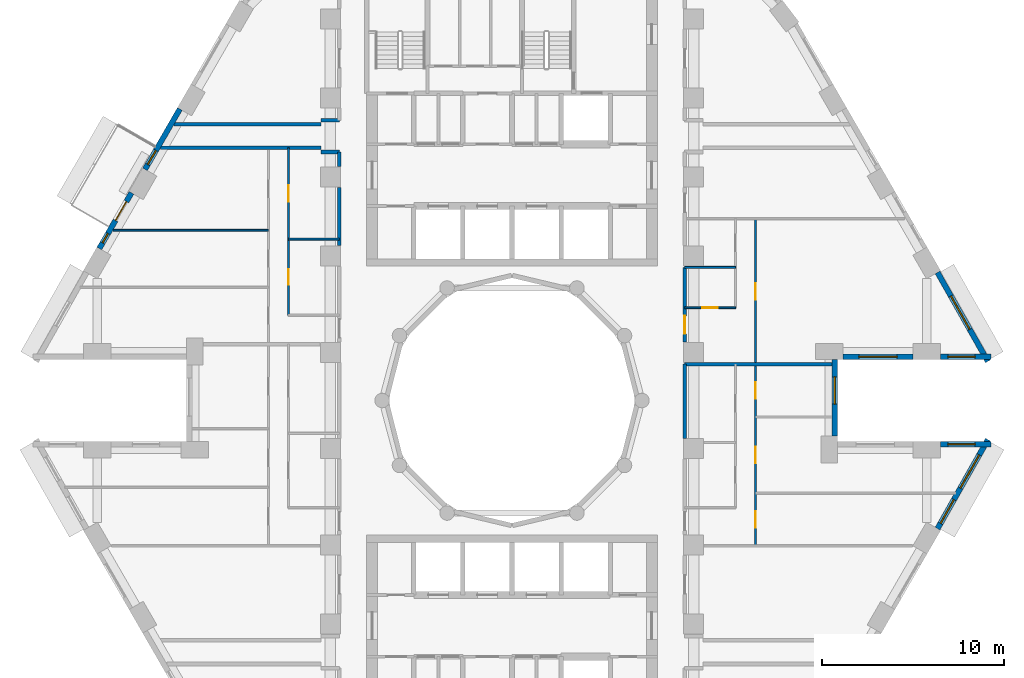
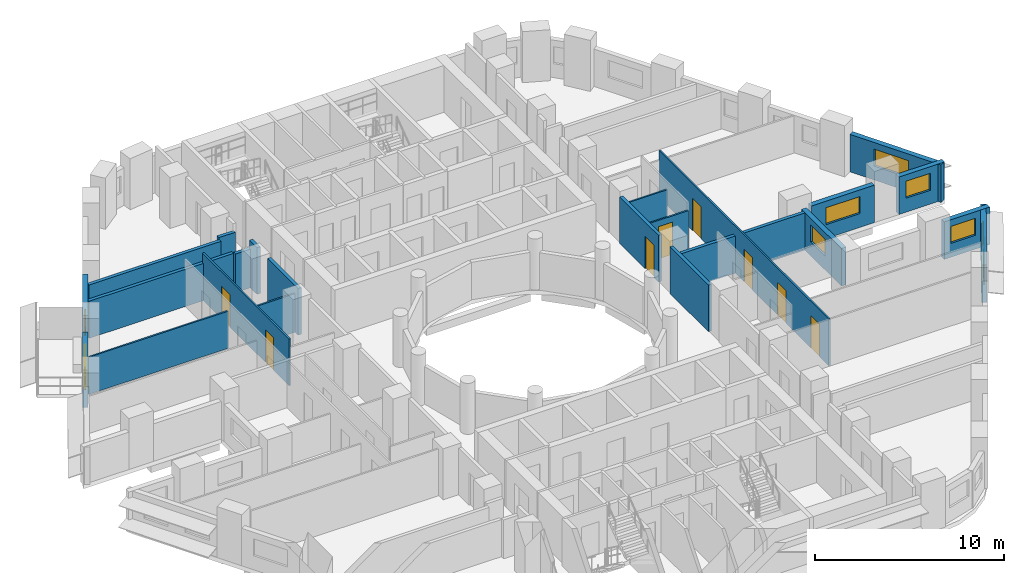
# One storey, part 6 of 13: 23 walls, 9 doors, 9 windows, 18 openings.
"""IFC4 building model written with IfcOpenShell, lengths in metres."""

import ifcopenshell
import ifcopenshell.guid

model = None  # the IFC model being written
_history = None  # IfcOwnerHistory: only IFC2X3 demands one
_inside = {}  # id of a spatial element -> (the spatial element, [elements in it])
_under = {}  # id of a project, library or spatial element -> (it, [spatial elements below it])
_declared = {}  # id of a project -> (the project, [libraries it declares])
_typed = {}  # id of a type object -> (the type object, [elements of that type])
_made_of = {}  # id of a material, layer set ... -> (it, [elements and type objects made of it])


def new_model(schema):
    """Start an empty IFC model of exactly this schema.

    Asked for "IFC4X3", IfcOpenShell would pick the latest addendum, in which some entities
    have other attributes; the version numbers below select the first issue.
    IFC2X3 requires an IfcOwnerHistory on every rooted entity: one is made here for all.
    """
    global model, _history
    if schema == "IFC4X3":
        model = ifcopenshell.file(schema_version=(4, 3, 0, 0))
    else:
        model = ifcopenshell.file(schema=schema)
    _inside.clear()
    _under.clear()
    _declared.clear()
    _typed.clear()
    _made_of.clear()
    _history = None
    if model.schema == "IFC2X3":
        org = make("IfcOrganization", Name="unknown")
        user = make(
            "IfcPersonAndOrganization",
            ThePerson=make("IfcPerson", FamilyName="unknown"),
            TheOrganization=org,
        )
        app = make(
            "IfcApplication",
            ApplicationDeveloper=org,
            Version="unknown",
            ApplicationFullName="unknown",
            ApplicationIdentifier="unknown",
        )
        _history = make(
            "IfcOwnerHistory",
            OwningUser=user,
            OwningApplication=app,
            ChangeAction="ADDED",
            CreationDate=0,
        )
    return model


def make(cls, **values):
    """One entity of the class cls with the attributes given. An attribute that is None is left unset."""
    return model.create_entity(
        cls, **{name: value for name, value in values.items() if value is not None}
    )


def rooted(cls, **values):
    """An entity with a GlobalId (a new one), such as an element, a storey or a relation."""
    return make(cls, GlobalId=ifcopenshell.guid.new(), OwnerHistory=_history, **values)


def si_unit(unit_type, name, prefix=None):
    """IfcSIUnit, for example si_unit("LENGTHUNIT", "METRE", prefix="MILLI")."""
    return make("IfcSIUnit", UnitType=unit_type, Prefix=prefix, Name=name)


def assignment(units):
    """IfcUnitAssignment: the units of a project."""
    return None if units is None else make("IfcUnitAssignment", Units=units)


def point(xyz):
    """IfcCartesianPoint."""
    return None if xyz is None else make("IfcCartesianPoint", Coordinates=xyz)


def direction(xyz):
    """IfcDirection."""
    return None if xyz is None else make("IfcDirection", DirectionRatios=xyz)


def frame(location, z_axis=None, x_axis=None):
    """IfcAxis2Placement3D, a coordinate frame: its origin and axes. An axis left out is left unset."""
    return make(
        "IfcAxis2Placement3D",
        Location=point(location),
        Axis=direction(z_axis),
        RefDirection=direction(x_axis),
    )


def frame_2d(location, x_axis=None):
    """IfcAxis2Placement2D, a coordinate frame in the plane: its origin and x axis."""
    return make(
        "IfcAxis2Placement2D", Location=point(location), RefDirection=direction(x_axis)
    )


def origin():
    """The frame at (0, 0, 0) with its axes left unset."""
    return frame((0.0, 0.0, 0.0))


def place(relative_to, where):
    """IfcLocalPlacement: puts the frame where relative to a parent placement (None: the world)."""
    return make(
        "IfcLocalPlacement", PlacementRelTo=relative_to, RelativePlacement=where
    )


def context(
    kind, dimensions, precision=None, world=None, true_north=None, identifier=None
):
    """IfcGeometricRepresentationContext, for example the 3D "Model" context."""
    return make(
        "IfcGeometricRepresentationContext",
        ContextIdentifier=identifier,
        ContextType=kind,
        CoordinateSpaceDimension=dimensions,
        Precision=precision,
        WorldCoordinateSystem=world,
        TrueNorth=true_north,
    )


def subcontext(parent, identifier, kind, view, scale=None):
    """IfcGeometricRepresentationSubContext, for example "Body" below "Model"."""
    return make(
        "IfcGeometricRepresentationSubContext",
        ContextIdentifier=identifier,
        ContextType=kind,
        ParentContext=parent,
        TargetScale=scale,
        TargetView=view,
    )


def project(units=None, contexts=None):
    """IfcProject with its units and contexts."""
    return rooted(
        "IfcProject",
        Name="project",
        RepresentationContexts=contexts,
        UnitsInContext=assignment(units),
    )


def spatial(cls, under=None, at=None, **own):
    """A site, building, storey or space (cls), placed at a placement, below another one or the project."""
    s = rooted(cls, ObjectPlacement=at, **own)
    if under is not None:
        _under.setdefault(under.id(), (under, []))[1].append(s)
    return s


def profile(cls, at=None, kind="AREA", **sizes):
    """A parametric profile (cls). Its sizes go by their IFC names, for example OverallWidth=200.0."""
    return make(cls, ProfileType=kind, Position=at, **sizes)


def rectangle(**sizes):
    """IfcRectangleProfileDef."""
    return profile("IfcRectangleProfileDef", **sizes)


def extrude(swept, where, along, depth):
    """IfcExtrudedAreaSolid: the profile swept, set in the frame where, extruded along a direction by depth."""
    return make(
        "IfcExtrudedAreaSolid",
        SweptArea=swept,
        Position=where,
        ExtrudedDirection=direction(along),
        Depth=depth,
    )


def shape(context_of_items, identifier, shape_type, items):
    """IfcShapeRepresentation: the items that make up one representation, for example the "Body"."""
    return make(
        "IfcShapeRepresentation",
        ContextOfItems=context_of_items,
        RepresentationIdentifier=identifier,
        RepresentationType=shape_type,
        Items=items,
    )


def material(Name=None, Category=None):
    """IfcMaterial."""
    return make("IfcMaterial", Name=Name, Category=Category)


def layer(
    of_material, thickness, ventilated=None, Name=None, Category=None, Priority=None
):
    """IfcMaterialLayer: one layer of a wall or slab, of a material (None: an air gap)."""
    return make(
        "IfcMaterialLayer",
        Material=of_material,
        LayerThickness=thickness,
        IsVentilated=ventilated,
        Name=Name,
        Category=Category,
        Priority=Priority,
    )


def layer_set(layers, Name=None):
    """IfcMaterialLayerSet."""
    return make("IfcMaterialLayerSet", MaterialLayers=layers, LayerSetName=Name)


def made_of(thing, what):
    """Note that an element or type object is made of a material, layer set ...; save() writes the relation."""
    if what is not None:
        _made_of.setdefault(what.id(), (what, []))[1].append(thing)
    return thing


def type_object(cls, material=None, **own):
    """A type object (cls), such as IfcWallType, which elements share."""
    return made_of(rooted(cls, **own), material)


def element(
    cls,
    number,
    at=None,
    inside=None,
    cuts=None,
    type_object=None,
    material=None,
    context=None,
    identifier="Body",
    shape_type=None,
    held_by="IfcProductDefinitionShape",
    body=None,
    shapes=None,
    **own,
):
    """One element of the class cls, such as IfcWall. Its Tag is "e" and its number.

    at: its placement. inside: the storey or other place that contains it. cuts: it is an
    opening in that element (IfcRelVoidsElement). A single representation is given by context,
    identifier, shape_type and body (its items); several are given by shapes. held_by: the class
    of the entity that holds the representations. save() writes the other relations.
    """
    e = rooted(cls, Tag="e%d" % number, ObjectPlacement=at, **own)
    if body is not None:
        shapes = [shape(context, identifier, shape_type, body)]
    if shapes is not None:
        e.Representation = make(held_by, Representations=shapes)
    if inside is not None:
        _inside.setdefault(inside.id(), (inside, []))[1].append(e)
    if cuts is not None:
        rooted(
            "IfcRelVoidsElement", RelatingBuildingElement=cuts, RelatedOpeningElement=e
        )
    if type_object is not None:
        _typed.setdefault(type_object.id(), (type_object, []))[1].append(e)
    return made_of(e, material)


def fill(opening, filler):
    """IfcRelFillsElement: the door or window that sits in an opening."""
    return rooted(
        "IfcRelFillsElement",
        RelatingOpeningElement=opening,
        RelatedBuildingElement=filler,
    )


def aggregate(whole, parts):
    """IfcRelAggregates: a whole, such as a stair, and the parts it consists of."""
    return rooted("IfcRelAggregates", RelatingObject=whole, RelatedObjects=parts)


def save(model, path):
    """Write the relations noted so far, then the file.

    IfcRelAggregates (storeys below a building ...), IfcRelContainedInSpatialStructure (elements
    in a storey), IfcRelDefinesByType, IfcRelAssociatesMaterial and IfcRelDeclares: one each for
    every whole, place, type object, material and project.
    """
    for whole, parts in _under.values():
        aggregate(whole, parts)
    for where, things in _inside.values():
        rooted(
            "IfcRelContainedInSpatialStructure",
            RelatedElements=things,
            RelatingStructure=where,
        )
    for kind, things in _typed.values():
        rooted("IfcRelDefinesByType", RelatedObjects=things, RelatingType=kind)
    for what, things in _made_of.values():
        rooted("IfcRelAssociatesMaterial", RelatedObjects=things, RelatingMaterial=what)
    for by, libraries in _declared.values():
        rooted("IfcRelDeclares", RelatingContext=by, RelatedDefinitions=libraries)
    model.write(path)


model = new_model("IFC4")

# Units and contexts
model_context = context("Model", 3, precision=1e-05, world=origin(), true_north=direction((0.0, 1.0)))
body_context = subcontext(model_context, "Body", "Model", "MODEL_VIEW")
ifc_project = project(units=[si_unit("LENGTHUNIT", "METRE"), si_unit("AREAUNIT", "SQUARE_METRE"), si_unit("VOLUMEUNIT", "CUBIC_METRE"), si_unit("PLANEANGLEUNIT", "RADIAN"), si_unit("MASSUNIT", "GRAM", prefix="KILO")], contexts=[model_context])

# Site, building, storey
site_placement = place(None, origin())
site = spatial("IfcSite", under=ifc_project, at=site_placement, CompositionType="ELEMENT")
building_placement = place(site_placement, origin())
building = spatial("IfcBuilding", under=site, at=building_placement, Name="Nakaniwa Court", CompositionType="ELEMENT")
storey_placement = place(building_placement, frame((0.0, 0.0, 48.0)))
storey = spatial("IfcBuildingStorey", under=building, at=storey_placement, Name="L12", CompositionType="ELEMENT", Elevation=48.0)

# Wall
ifc_material_1 = material(Name="Acoustic double stud partition")
ifc_layer_1 = layer(ifc_material_1, 0.199951171875)
ifc_layer_set_1 = layer_set([ifc_layer_1], Name="Acoustic double stud partition")
wall_type_1 = type_object("IfcWallType", Name="Acoustic double stud partition 200", PredefinedType="PARTITIONING", material=ifc_layer_set_1)
wall_1_placement = place(storey_placement, frame((89.5, 77.9169921875, 0.0), z_axis=(0.0, 0.0, 1.0), x_axis=(0.0, 1.0, 0.0)))
element("IfcWall", 1, at=wall_1_placement, inside=storey, type_object=wall_type_1, Name="Partition PW-078", PredefinedType="PARTITIONING", context=body_context, shape_type="SweptSolid", body=[
    extrude(rectangle(XDim=4.0859375, YDim=0.199951171875, at=frame_2d((2.04296875, 0.0))), origin(), (0.0, 0.0, 1.0), 3.02490234375),
])

# Wall, opening, door
wall_2_placement = place(storey_placement, frame((89.5, 87.330322265625, 0.0), z_axis=(0.0, 0.0, 1.0), x_axis=(0.0, -1.0, 0.0)))
wall_2 = element("IfcWall", 2, at=wall_2_placement, inside=storey, type_object=wall_type_1, Name="Partition PW-079", PredefinedType="PARTITIONING", context=body_context, shape_type="SweptSolid", body=[
    extrude(rectangle(XDim=4.11328125, YDim=0.199951171875, at=frame_2d((2.056640625, 0.0))), origin(), (0.0, 0.0, 1.0), 3.02490234375),
])
opening_1_placement = place(wall_2_placement, frame((2.669921875, 0.0, 0.0)))
opening_1 = element("IfcOpeningElement", 3, at=opening_1_placement, cuts=wall_2, Name="Opening D-01-02", PredefinedType="OPENING", context=body_context, shape_type="SweptSolid", body=[
    extrude(rectangle(XDim=1.0, YDim=2.10009765625, at=frame_2d((0.5, 1.050048828125))), frame((0.0, 0.10986328125, 0.0), z_axis=(0.0, -1.0, 0.0), x_axis=(1.0, 0.0, 0.0)), (0.0, 0.0, 1.0), 0.219970703125),
])
ifc_material_2 = material(Name="Solid core timber door set, black veneer", Category="wood")
door_type_1 = type_object("IfcDoorType", Name="Flat entrance door 1000", OperationType="NOTDEFINED", PredefinedType="DOOR", material=ifc_material_2)
door_1_placement = place(opening_1_placement, origin())
door_1 = element("IfcDoor", 4, at=door_1_placement, inside=storey, type_object=door_type_1, Name="Door D-01-02 L12-038", OperationType="SINGLE_SWING_LEFT", OverallHeight=2.10009765625, OverallWidth=1.0, PredefinedType="DOOR", context=body_context, shape_type="SweptSolid", body=[
    extrude(rectangle(XDim=1.0, YDim=2.10009765625, at=frame_2d((0.5, 1.050048828125))), frame((0.0, 0.02490234375, 0.0), z_axis=(0.0, -1.0, 0.0), x_axis=(1.0, 0.0, 0.0)), (0.0, 0.0, 1.0), 0.050048828125),
])
fill(opening_1, door_1)

# Walls
wall_3_placement = place(storey_placement, frame((69.5, 95.425048828125, 0.0), z_axis=(0.0, 0.0, 1.0), x_axis=(1.0, 0.0, 0.0)))
element("IfcWall", 5, at=wall_3_placement, inside=storey, type_object=wall_type_1, Name="Partition PW-085", PredefinedType="PARTITIONING", context=body_context, shape_type="SweptSolid", body=[
    extrude(rectangle(XDim=1.0, YDim=0.199951171875, at=frame_2d((0.5, 0.0))), origin(), (0.0, 0.0, 1.0), 2.5048828125),
])
wall_4_placement = place(storey_placement, frame((61.4091796875, 95.199951171875, 0.0), z_axis=(0.0, 0.0, 1.0), x_axis=(1.0, 0.0, 0.0)))
element("IfcWall", 6, at=wall_4_placement, inside=storey, type_object=wall_type_1, Name="Partition PW-087", PredefinedType="PARTITIONING", context=body_context, shape_type="SweptSolid", body=[
    extrude(rectangle(XDim=8.0908203125, YDim=0.199951171875, at=frame_2d((4.04541015625, 0.0))), origin(), (0.0, 0.0, 1.0), 2.405029296875),
])
wall_5_placement = place(storey_placement, frame((60.65869140625, 93.89990234375, 0.0), z_axis=(0.0, 0.0, 1.0), x_axis=(1.0, 0.0, 0.0)))
element("IfcWall", 7, at=wall_5_placement, inside=storey, type_object=wall_type_1, Name="Partition PW-089", PredefinedType="PARTITIONING", context=body_context, shape_type="SweptSolid", body=[
    extrude(rectangle(XDim=8.84130859375, YDim=0.199951171875, at=frame_2d((4.420654296875, 0.0))), origin(), (0.0, 0.0, 1.0), 2.405029296875),
])
wall_6_placement = place(storey_placement, frame((69.5, 93.675048828125, 0.0), z_axis=(0.0, 0.0, 1.0), x_axis=(1.0, 0.0, 0.0)))
element("IfcWall", 8, at=wall_6_placement, inside=storey, type_object=wall_type_1, Name="Partition PW-091", PredefinedType="PARTITIONING", context=body_context, shape_type="SweptSolid", body=[
    extrude(rectangle(XDim=1.0, YDim=0.199951171875, at=frame_2d((0.5, 0.0))), origin(), (0.0, 0.0, 1.0), 2.5048828125),
])
wall_7_placement = place(storey_placement, frame((70.5, 88.51708984375, 0.0), z_axis=(0.0, 0.0, 1.0), x_axis=(0.0, 1.0, 0.0)))
element("IfcWall", 9, at=wall_7_placement, inside=storey, type_object=wall_type_1, Name="Partition PW-108", PredefinedType="PARTITIONING", context=body_context, shape_type="SweptSolid", body=[
    extrude(rectangle(XDim=3.2158203125, YDim=0.199951171875, at=frame_2d((1.60791015625, 0.0))), origin(), (0.0, 0.0, 1.0), 3.02490234375),
])
wall_8_placement = place(storey_placement, frame((70.5, 92.866943359375, 0.0), z_axis=(0.0, 0.0, 1.0), x_axis=(0.0, 1.0, 0.0)))
element("IfcWall", 10, at=wall_8_placement, inside=storey, type_object=wall_type_1, Name="Partition PW-109", PredefinedType="PARTITIONING", context=body_context, shape_type="SweptSolid", body=[
    extrude(rectangle(XDim=0.81103515625, YDim=0.199951171875, at=frame_2d((0.405517578125, 0.0))), origin(), (0.0, 0.0, 1.0), 3.02490234375),
])
wall_9_placement = place(storey_placement, frame((89.5, 82.0, 0.0), z_axis=(0.0, 0.0, 1.0), x_axis=(1.0, 0.0, 0.0)))
element("IfcWall", 11, at=wall_9_placement, inside=storey, type_object=wall_type_1, Name="Partition PW-118", PredefinedType="PARTITIONING", context=body_context, shape_type="SweptSolid", body=[
    extrude(rectangle(XDim=8.1083984375, YDim=0.199951171875, at=frame_2d((4.05419921875, 0.0))), origin(), (0.0, 0.0, 1.0), 2.405029296875),
])

# Wall, opening, window
ifc_material_3 = material(Name="Charcoal ceramic cladding")
ifc_layer_2 = layer(ifc_material_3, 0.02, Name="Ceramic cladding")
ifc_material_4 = material(Name="Ventilated air cavity")
ifc_layer_3 = layer(ifc_material_4, 0.04, ventilated=True, Name="Ventilated cavity")
ifc_material_5 = material(Name="Mineral wool insulation")
ifc_layer_4 = layer(ifc_material_5, 0.1, Name="Insulation")
ifc_material_6 = material(Name="Cement bonded sheathing board")
ifc_layer_5 = layer(ifc_material_6, 0.012, Name="Sheathing")
ifc_material_7 = material(Name="Cold-formed galvanised stud frame with mineral wool infill")
ifc_layer_6 = layer(ifc_material_7, 0.1, Name="Stud frame")
ifc_material_8 = material(Name="Fire-rated gypsum plasterboard lining")
ifc_layer_7 = layer(ifc_material_8, 0.028, Name="Lining")
ifc_layer_set_2 = layer_set([ifc_layer_2, ifc_layer_3, ifc_layer_4, ifc_layer_5, ifc_layer_6, ifc_layer_7], Name="Charcoal ceramic faced external wall system")
wall_type_2 = type_object("IfcWallType", Name="Black ceramic faced external wall 300", PredefinedType="SOLIDWALL", material=ifc_layer_set_2)
wall_10_placement = place(storey_placement, frame((98.204345703125, 82.39990234375, 0.0), z_axis=(0.0, 0.0, 1.0), x_axis=(1.0, 0.0, 0.0)))
wall_10 = element("IfcWall", 12, at=wall_10_placement, inside=storey, type_object=wall_type_2, Name="L12 external wall 00", PredefinedType="SOLIDWALL", context=body_context, shape_type="SweptSolid", body=[
    extrude(rectangle(XDim=3.87255859375, YDim=0.300048828125, at=frame_2d((1.936279296875, 0.0))), origin(), (0.0, 0.0, 1.0), 2.425048828125),
])
opening_2_placement = place(wall_10_placement, frame((0.88623046875, 0.0, 0.89990234375)))
opening_2 = element("IfcOpeningElement", 13, at=opening_2_placement, cuts=wall_10, Name="Opening W7.01", PredefinedType="OPENING", context=body_context, shape_type="SweptSolid", body=[
    extrude(rectangle(XDim=2.10009765625, YDim=1.10009765625, at=frame_2d((1.050048828125, 0.550048828125))), frame((0.0, 0.159912109375, 0.0), z_axis=(0.0, -1.0, 0.0), x_axis=(1.0, 0.0, 0.0)), (0.0, 0.0, 1.0), 0.320068359375),
])
ifc_material_9 = material(Name="Black anodised aluminium frame with dark low-E laminated double glazing", Category="aluminium")
window_type_1 = type_object("IfcWindowType", Name="Dark glass window 2100x1100 sill 900", PartitioningType="SINGLE_PANEL", PredefinedType="WINDOW", material=ifc_material_9)
window_1_placement = place(opening_2_placement, origin())
window_1 = element("IfcWindow", 14, at=window_1_placement, inside=storey, type_object=window_type_1, Name="L12 living window 00-0", OverallHeight=1.10009765625, OverallWidth=2.10009765625, PartitioningType="SINGLE_PANEL", PredefinedType="WINDOW", context=body_context, shape_type="SweptSolid", body=[
    extrude(rectangle(XDim=2.10009765625, YDim=1.10009765625, at=frame_2d((1.050048828125, 0.550048828125))), frame((0.0, 0.030029296875, 0.0), z_axis=(0.0, -1.0, 0.0), x_axis=(1.0, 0.0, 0.0)), (0.0, 0.0, 1.0), 0.06005859375),
])
fill(opening_2, window_1)

wall_11_placement = place(storey_placement, frame((103.56884765625, 82.39990234375, 0.0), z_axis=(0.0, 0.0, 1.0), x_axis=(1.0, 0.0, 0.0)))
wall_11 = element("IfcWall", 15, at=wall_11_placement, inside=storey, type_object=wall_type_2, Name="L12 external wall 01", PredefinedType="SOLIDWALL", context=body_context, shape_type="SweptSolid", body=[
    extrude(rectangle(XDim=2.787841796875, YDim=0.300048828125, at=frame_2d((1.39404296875, 0.0))), origin(), (0.0, 0.0, 1.0), 2.425048828125),
])
opening_3_placement = place(wall_11_placement, frame((0.4189453125, 0.0, 0.89990234375)))
opening_3 = element("IfcOpeningElement", 16, at=opening_3_placement, cuts=wall_11, Name="Opening W5.02", PredefinedType="OPENING", context=body_context, shape_type="SweptSolid", body=[
    extrude(rectangle(XDim=1.5, YDim=1.10009765625, at=frame_2d((0.75, 0.550048828125))), frame((0.0, 0.159912109375, 0.0), z_axis=(0.0, -1.0, 0.0), x_axis=(1.0, 0.0, 0.0)), (0.0, 0.0, 1.0), 0.320068359375),
])
window_type_2 = type_object("IfcWindowType", Name="Dark glass window 1500x1100 sill 900", PartitioningType="SINGLE_PANEL", PredefinedType="WINDOW", material=ifc_material_9)
window_2_placement = place(opening_3_placement, origin())
window_2 = element("IfcWindow", 17, at=window_2_placement, inside=storey, type_object=window_type_2, Name="L12 living window 01-0", OverallHeight=1.10009765625, OverallWidth=1.5, PartitioningType="SINGLE_PANEL", PredefinedType="WINDOW", context=body_context, shape_type="SweptSolid", body=[
    extrude(rectangle(XDim=1.5, YDim=1.10009765625, at=frame_2d((0.75, 0.550048828125))), frame((0.0, 0.030029296875, 0.0), z_axis=(0.0, -1.0, 0.0), x_axis=(1.0, 0.0, 0.0)), (0.0, 0.0, 1.0), 0.06005859375),
])
fill(opening_3, window_2)

wall_12_placement = place(storey_placement, frame((106.18603515625, 82.1533203125, 0.0), z_axis=(0.0, 0.0, 1.0), x_axis=(-0.492363204642, 0.870389840655, 0.0)))
wall_12 = element("IfcWall", 18, at=wall_12_placement, inside=storey, type_object=wall_type_2, Name="L12 external wall 02", PredefinedType="SOLIDWALL", context=body_context, shape_type="SweptSolid", body=[
    extrude(rectangle(XDim=5.62646484375, YDim=0.300048828125, at=frame_2d((2.813232421875, 0.0))), origin(), (0.0, 0.0, 1.0), 2.425048828125),
])
opening_4_placement = place(wall_12_placement, frame((2.0263671875, 0.0, 0.89990234375)))
opening_4 = element("IfcOpeningElement", 19, at=opening_4_placement, cuts=wall_12, Name="Opening W7.03", PredefinedType="OPENING", context=body_context, shape_type="SweptSolid", body=[
    extrude(rectangle(XDim=2.10009765625, YDim=1.10009765625, at=frame_2d((1.050048828125, 0.550048828125))), frame((0.0, 0.159912109375, 0.0), z_axis=(0.0, -1.0, 0.0), x_axis=(1.0, 0.0, 0.0)), (0.0, 0.0, 1.0), 0.320068359375),
])
window_3_placement = place(opening_4_placement, origin())
window_3 = element("IfcWindow", 20, at=window_3_placement, inside=storey, type_object=window_type_1, Name="L12 living window 02-0", OverallHeight=1.10009765625, OverallWidth=2.10009765625, PartitioningType="SINGLE_PANEL", PredefinedType="WINDOW", context=body_context, shape_type="SweptSolid", body=[
    extrude(rectangle(XDim=2.10009765625, YDim=1.10009765625, at=frame_2d((1.050048828125, 0.550048828125))), frame((0.0, 0.030029296875, 0.0), z_axis=(0.0, -1.0, 0.0), x_axis=(1.0, 0.0, 0.0)), (0.0, 0.0, 1.0), 0.06005859375),
])
fill(opening_4, window_3)

wall_13_placement = place(storey_placement, frame((61.7216796875, 96.041015625, 0.0), z_axis=(0.0, 0.0, 1.0), x_axis=(-0.500001735503, -0.866024401789, 0.0)))
wall_13 = element("IfcWall", 21, at=wall_13_placement, inside=storey, type_object=wall_type_2, Name="L12 external wall 12", PredefinedType="SOLIDWALL", context=body_context, shape_type="SweptSolid", body=[
    extrude(rectangle(XDim=3.833984375, YDim=0.300048828125, at=frame_2d((1.9169921875, 0.0))), origin(), (0.0, 0.0, 1.0), 2.425048828125),
])
opening_5_placement = place(wall_13_placement, frame((2.629150390625, 0.0, 0.89990234375)))
opening_5 = element("IfcOpeningElement", 22, at=opening_5_placement, cuts=wall_13, Name="Opening W9.13", PredefinedType="OPENING", context=body_context, shape_type="SweptSolid", body=[
    extrude(rectangle(XDim=0.89990234375, YDim=1.10009765625, at=frame_2d((0.449951171875, 0.550048828125))), frame((0.0, 0.159912109375, 0.0), z_axis=(0.0, -1.0, 0.0), x_axis=(1.0, 0.0, 0.0)), (0.0, 0.0, 1.0), 0.320068359375),
])
window_type_3 = type_object("IfcWindowType", Name="Dark glass window 900x1100 sill 900", PartitioningType="SINGLE_PANEL", PredefinedType="WINDOW", material=ifc_material_9)
window_4_placement = place(opening_5_placement, origin())
window_4 = element("IfcWindow", 23, at=window_4_placement, inside=storey, type_object=window_type_3, Name="L12 living window 12-2", OverallHeight=1.10009765625, OverallWidth=0.89990234375, PartitioningType="SINGLE_PANEL", PredefinedType="WINDOW", context=body_context, shape_type="SweptSolid", body=[
    extrude(rectangle(XDim=0.89990234375, YDim=1.10009765625, at=frame_2d((0.449951171875, 0.550048828125))), frame((0.0, 0.030029296875, 0.0), z_axis=(0.0, -1.0, 0.0), x_axis=(1.0, 0.0, 0.0)), (0.0, 0.0, 1.0), 0.06005859375),
])
fill(opening_5, window_4)

# Wall, openings, door, window
wall_14_placement = place(storey_placement, frame((59.05859375, 91.4287109375, 0.0), z_axis=(0.0, 0.0, 1.0), x_axis=(-0.499977402622, -0.866038449993, 0.0)))
wall_14 = element("IfcWall", 24, at=wall_14_placement, inside=storey, type_object=wall_type_2, Name="L12 external wall 13", PredefinedType="SOLIDWALL", context=body_context, shape_type="SweptSolid", body=[
    extrude(rectangle(XDim=3.536865234375, YDim=0.300048828125, at=frame_2d((1.7685546875, 0.0))), origin(), (0.0, 0.0, 1.0), 2.425048828125),
])
opening_6_placement = place(wall_14_placement, frame((0.55078125, 0.0, 0.0)))
opening_6 = element("IfcOpeningElement", 25, at=opening_6_placement, cuts=wall_14, Name="Opening XD10.01", PredefinedType="OPENING", context=body_context, shape_type="SweptSolid", body=[
    extrude(rectangle(XDim=1.199951171875, YDim=2.0, at=frame_2d((0.60009765625, 1.0))), frame((0.0, 0.159912109375, 0.0), z_axis=(0.0, -1.0, 0.0), x_axis=(1.0, 0.0, 0.0)), (0.0, 0.0, 1.0), 0.320068359375),
])
opening_7_placement = place(wall_14_placement, frame((2.582275390625, 0.0, 0.89990234375)))
opening_7 = element("IfcOpeningElement", 26, at=opening_7_placement, cuts=wall_14, Name="Opening W8.14", PredefinedType="OPENING", context=body_context, shape_type="SweptSolid", body=[
    extrude(rectangle(XDim=0.60009765625, YDim=1.10009765625, at=frame_2d((0.300048828125, 0.550048828125))), frame((0.0, 0.159912109375, 0.0), z_axis=(0.0, -1.0, 0.0), x_axis=(1.0, 0.0, 0.0)), (0.0, 0.0, 1.0), 0.320068359375),
])
ifc_material_10 = material(Name="Black powder-coated aluminium frame with dark laminated glass", Category="aluminium")
door_type_2 = type_object("IfcDoorType", Name="Balcony sliding door 1200x2000", OperationType="SLIDING_TO_LEFT", PredefinedType="DOOR", material=ifc_material_10)
door_2_placement = place(opening_6_placement, origin())
door_2 = element("IfcDoor", 27, at=door_2_placement, inside=storey, type_object=door_type_2, Name="L12 balcony sliding door 01", OperationType="SLIDING_TO_LEFT", OverallHeight=2.0, OverallWidth=1.199951171875, PredefinedType="DOOR", context=body_context, shape_type="SweptSolid", body=[
    extrude(rectangle(XDim=1.199951171875, YDim=2.0, at=frame_2d((0.60009765625, 1.0))), frame((0.0, 0.02490234375, 0.0), z_axis=(0.0, -1.0, 0.0), x_axis=(1.0, 0.0, 0.0)), (0.0, 0.0, 1.0), 0.050048828125),
])
fill(opening_6, door_2)
window_type_4 = type_object("IfcWindowType", Name="Dark glass window 600x1100 sill 900", PartitioningType="SINGLE_PANEL", PredefinedType="WINDOW", material=ifc_material_9)
window_5_placement = place(opening_7_placement, origin())
window_5 = element("IfcWindow", 28, at=window_5_placement, inside=storey, type_object=window_type_4, Name="L12 bedroom window 13-1", OverallHeight=1.10009765625, OverallWidth=0.60009765625, PartitioningType="SINGLE_PANEL", PredefinedType="WINDOW", context=body_context, shape_type="SweptSolid", body=[
    extrude(rectangle(XDim=0.60009765625, YDim=1.10009765625, at=frame_2d((0.300048828125, 0.550048828125))), frame((0.0, 0.030029296875, 0.0), z_axis=(0.0, -1.0, 0.0), x_axis=(1.0, 0.0, 0.0)), (0.0, 0.0, 1.0), 0.06005859375),
])
fill(opening_7, window_5)

# Wall, openings, windows
wall_15_placement = place(storey_placement, frame((103.415771484375, 72.949462890625, 0.0), z_axis=(0.0, 0.0, 1.0), x_axis=(0.492363204642, 0.870389840655, 0.0)))
wall_15 = element("IfcWall", 29, at=wall_15_placement, inside=storey, type_object=wall_type_2, Name="L12 external wall 32", PredefinedType="SOLIDWALL", context=body_context, shape_type="SweptSolid", body=[
    extrude(rectangle(XDim=5.62646484375, YDim=0.300048828125, at=frame_2d((2.813232421875, 0.0))), origin(), (0.0, 0.0, 1.0), 2.425048828125),
])
opening_8_placement = place(wall_15_placement, frame((0.337158203125, 0.0, 0.89990234375)))
opening_8 = element("IfcOpeningElement", 30, at=opening_8_placement, cuts=wall_15, Name="Opening W5.31", PredefinedType="OPENING", context=body_context, shape_type="SweptSolid", body=[
    extrude(rectangle(XDim=1.5, YDim=1.10009765625, at=frame_2d((0.75, 0.550048828125))), frame((0.0, 0.159912109375, 0.0), z_axis=(0.0, -1.0, 0.0), x_axis=(1.0, 0.0, 0.0)), (0.0, 0.0, 1.0), 0.320068359375),
])
opening_9_placement = place(wall_15_placement, frame((2.5615234375, 0.0, 0.89990234375)))
opening_9 = element("IfcOpeningElement", 31, at=opening_9_placement, cuts=wall_15, Name="Opening W7.32", PredefinedType="OPENING", context=body_context, shape_type="SweptSolid", body=[
    extrude(rectangle(XDim=2.10009765625, YDim=1.10009765625, at=frame_2d((1.050048828125, 0.550048828125))), frame((0.0, 0.159912109375, 0.0), z_axis=(0.0, -1.0, 0.0), x_axis=(1.0, 0.0, 0.0)), (0.0, 0.0, 1.0), 0.320068359375),
])
window_6_placement = place(opening_8_placement, origin())
window_6 = element("IfcWindow", 32, at=window_6_placement, inside=storey, type_object=window_type_2, Name="L12 bedroom window 32-0", OverallHeight=1.10009765625, OverallWidth=1.5, PartitioningType="SINGLE_PANEL", PredefinedType="WINDOW", context=body_context, shape_type="SweptSolid", body=[
    extrude(rectangle(XDim=1.5, YDim=1.10009765625, at=frame_2d((0.75, 0.550048828125))), frame((0.0, 0.030029296875, 0.0), z_axis=(0.0, -1.0, 0.0), x_axis=(1.0, 0.0, 0.0)), (0.0, 0.0, 1.0), 0.06005859375),
])
fill(opening_8, window_6)
window_7_placement = place(opening_9_placement, origin())
window_7 = element("IfcWindow", 33, at=window_7_placement, inside=storey, type_object=window_type_1, Name="L12 living window 32-1", OverallHeight=1.10009765625, OverallWidth=2.10009765625, PartitioningType="SINGLE_PANEL", PredefinedType="WINDOW", context=body_context, shape_type="SweptSolid", body=[
    extrude(rectangle(XDim=2.10009765625, YDim=1.10009765625, at=frame_2d((1.050048828125, 0.550048828125))), frame((0.0, 0.030029296875, 0.0), z_axis=(0.0, -1.0, 0.0), x_axis=(1.0, 0.0, 0.0)), (0.0, 0.0, 1.0), 0.06005859375),
])
fill(opening_9, window_7)

# Wall, opening, window
wall_16_placement = place(storey_placement, frame((106.356689453125, 77.60009765625, 0.0), z_axis=(0.0, 0.0, 1.0), x_axis=(-1.0, 0.0, 0.0)))
wall_16 = element("IfcWall", 34, at=wall_16_placement, inside=storey, type_object=wall_type_2, Name="L12 external wall 33", PredefinedType="SOLIDWALL", context=body_context, shape_type="SweptSolid", body=[
    extrude(rectangle(XDim=2.787841796875, YDim=0.300048828125, at=frame_2d((1.39404296875, 0.0))), origin(), (0.0, 0.0, 1.0), 2.425048828125),
])
opening_10_placement = place(wall_16_placement, frame((0.868896484375, 0.0, 0.89990234375)))
opening_10 = element("IfcOpeningElement", 35, at=opening_10_placement, cuts=wall_16, Name="Opening W5.33", PredefinedType="OPENING", context=body_context, shape_type="SweptSolid", body=[
    extrude(rectangle(XDim=1.5, YDim=1.10009765625, at=frame_2d((0.75, 0.550048828125))), frame((0.0, 0.159912109375, 0.0), z_axis=(0.0, -1.0, 0.0), x_axis=(1.0, 0.0, 0.0)), (0.0, 0.0, 1.0), 0.320068359375),
])
window_8_placement = place(opening_10_placement, origin())
window_8 = element("IfcWindow", 36, at=window_8_placement, inside=storey, type_object=window_type_2, Name="L12 living window 33-0", OverallHeight=1.10009765625, OverallWidth=1.5, PartitioningType="SINGLE_PANEL", PredefinedType="WINDOW", context=body_context, shape_type="SweptSolid", body=[
    extrude(rectangle(XDim=1.5, YDim=1.10009765625, at=frame_2d((0.75, 0.550048828125))), frame((0.0, 0.030029296875, 0.0), z_axis=(0.0, -1.0, 0.0), x_axis=(1.0, 0.0, 0.0)), (0.0, 0.0, 1.0), 0.06005859375),
])
fill(opening_10, window_8)

wall_17_placement = place(storey_placement, frame((97.75830078125, 78.0458984375, 0.0), z_axis=(0.0, 0.0, 1.0), x_axis=(0.0, 1.0, 0.0)))
wall_17 = element("IfcWall", 37, at=wall_17_placement, inside=storey, type_object=wall_type_2, Name="L12 external wall 35", PredefinedType="SOLIDWALL", context=body_context, shape_type="SweptSolid", body=[
    extrude(rectangle(XDim=4.2080078125, YDim=0.300048828125, at=frame_2d((2.10400390625, 0.0))), origin(), (0.0, 0.0, 1.0), 2.425048828125),
])
opening_11_placement = place(wall_17_placement, frame((1.75244140625, 0.0, 0.89990234375)))
opening_11 = element("IfcOpeningElement", 38, at=opening_11_placement, cuts=wall_17, Name="Opening W5.35", PredefinedType="OPENING", context=body_context, shape_type="SweptSolid", body=[
    extrude(rectangle(XDim=1.5, YDim=1.10009765625, at=frame_2d((0.75, 0.550048828125))), frame((0.0, 0.159912109375, 0.0), z_axis=(0.0, -1.0, 0.0), x_axis=(1.0, 0.0, 0.0)), (0.0, 0.0, 1.0), 0.320068359375),
])
window_9_placement = place(opening_11_placement, origin())
window_9 = element("IfcWindow", 39, at=window_9_placement, inside=storey, type_object=window_type_2, Name="L12 bedroom window 35-1", OverallHeight=1.10009765625, OverallWidth=1.5, PartitioningType="SINGLE_PANEL", PredefinedType="WINDOW", context=body_context, shape_type="SweptSolid", body=[
    extrude(rectangle(XDim=1.5, YDim=1.10009765625, at=frame_2d((0.75, 0.550048828125))), frame((0.0, 0.030029296875, 0.0), z_axis=(0.0, -1.0, 0.0), x_axis=(1.0, 0.0, 0.0)), (0.0, 0.0, 1.0), 0.06005859375),
])
fill(opening_11, window_9)

# Wall, openings, doors
ifc_material_11 = material(Name="Single stud plasterboard partition")
ifc_layer_8 = layer(ifc_material_11, 0.10009765625)
ifc_layer_set_3 = layer_set([ifc_layer_8], Name="Single stud plasterboard partition")
wall_type_3 = type_object("IfcWallType", Name="Single stud plasterboard partition 100", PredefinedType="PARTITIONING", material=ifc_layer_set_3)
wall_18_placement = place(storey_placement, frame((93.39990234375, 90.0, 0.0), z_axis=(0.0, 0.0, 1.0), x_axis=(0.0, -1.0, 0.0)))
wall_18 = element("IfcWall", 40, at=wall_18_placement, inside=storey, type_object=wall_type_3, Name="Partition PW-119", PredefinedType="PARTITIONING", context=body_context, shape_type="SweptSolid", body=[
    extrude(rectangle(XDim=18.0, YDim=0.10009765625, at=frame_2d((9.0, 0.0))), origin(), (0.0, 0.0, 1.0), 3.02490234375),
])
opening_12_placement = place(wall_18_placement, frame((16.097900390625, 0.0, 0.0)))
opening_12 = element("IfcOpeningElement", 41, at=opening_12_placement, cuts=wall_18, Name="Opening D-33-02", PredefinedType="OPENING", context=body_context, shape_type="SweptSolid", body=[
    extrude(rectangle(XDim=0.89990234375, YDim=2.10009765625, at=frame_2d((0.449951171875, 1.050048828125))), frame((0.0, 0.06005859375, 0.0), z_axis=(0.0, -1.0, 0.0), x_axis=(1.0, 0.0, 0.0)), (0.0, 0.0, 1.0), 0.1201171875),
])
opening_13_placement = place(wall_18_placement, frame((12.550048828125, 0.0, 0.0)))
opening_13 = element("IfcOpeningElement", 42, at=opening_13_placement, cuts=wall_18, Name="Opening D-33-03", PredefinedType="OPENING", context=body_context, shape_type="SweptSolid", body=[
    extrude(rectangle(XDim=0.89990234375, YDim=2.10009765625, at=frame_2d((0.449951171875, 1.050048828125))), frame((0.0, 0.06005859375, 0.0), z_axis=(0.0, -1.0, 0.0), x_axis=(1.0, 0.0, 0.0)), (0.0, 0.0, 1.0), 0.1201171875),
])
opening_14_placement = place(wall_18_placement, frame((9.001953125, 0.0, 0.0)))
opening_14 = element("IfcOpeningElement", 43, at=opening_14_placement, cuts=wall_18, Name="Opening D-33-04", PredefinedType="OPENING", context=body_context, shape_type="SweptSolid", body=[
    extrude(rectangle(XDim=0.89990234375, YDim=2.10009765625, at=frame_2d((0.449951171875, 1.050048828125))), frame((0.0, 0.06005859375, 0.0), z_axis=(0.0, -1.0, 0.0), x_axis=(1.0, 0.0, 0.0)), (0.0, 0.0, 1.0), 0.1201171875),
])
opening_15_placement = place(wall_18_placement, frame((3.550048828125, 0.0, 0.0)))
opening_15 = element("IfcOpeningElement", 44, at=opening_15_placement, cuts=wall_18, Name="Opening D-33-06", PredefinedType="OPENING", context=body_context, shape_type="SweptSolid", body=[
    extrude(rectangle(XDim=0.89990234375, YDim=2.10009765625, at=frame_2d((0.449951171875, 1.050048828125))), frame((0.0, 0.06005859375, 0.0), z_axis=(0.0, -1.0, 0.0), x_axis=(1.0, 0.0, 0.0)), (0.0, 0.0, 1.0), 0.1201171875),
])
door_type_3 = type_object("IfcDoorType", Name="Internal door 900", OperationType="NOTDEFINED", PredefinedType="DOOR", material=ifc_material_2)
door_3_placement = place(opening_12_placement, origin())
door_3 = element("IfcDoor", 45, at=door_3_placement, inside=storey, type_object=door_type_3, Name="Door D-33-02 L12-035", OperationType="SINGLE_SWING_RIGHT", OverallHeight=2.10009765625, OverallWidth=0.89990234375, PredefinedType="DOOR", context=body_context, shape_type="SweptSolid", body=[
    extrude(rectangle(XDim=0.89990234375, YDim=2.10009765625, at=frame_2d((0.449951171875, 1.050048828125))), frame((0.0, 0.02490234375, 0.0), z_axis=(0.0, -1.0, 0.0), x_axis=(1.0, 0.0, 0.0)), (0.0, 0.0, 1.0), 0.050048828125),
])
fill(opening_12, door_3)
door_4_placement = place(opening_13_placement, origin())
door_4 = element("IfcDoor", 46, at=door_4_placement, inside=storey, type_object=door_type_3, Name="Door D-33-03 L12-036", OperationType="SINGLE_SWING_LEFT", OverallHeight=2.10009765625, OverallWidth=0.89990234375, PredefinedType="DOOR", context=body_context, shape_type="SweptSolid", body=[
    extrude(rectangle(XDim=0.89990234375, YDim=2.10009765625, at=frame_2d((0.449951171875, 1.050048828125))), frame((0.0, 0.02490234375, 0.0), z_axis=(0.0, -1.0, 0.0), x_axis=(1.0, 0.0, 0.0)), (0.0, 0.0, 1.0), 0.050048828125),
])
fill(opening_13, door_4)
door_5_placement = place(opening_14_placement, origin())
door_5 = element("IfcDoor", 47, at=door_5_placement, inside=storey, type_object=door_type_3, Name="Door D-33-04 L12-037", OperationType="SINGLE_SWING_RIGHT", OverallHeight=2.10009765625, OverallWidth=0.89990234375, PredefinedType="DOOR", context=body_context, shape_type="SweptSolid", body=[
    extrude(rectangle(XDim=0.89990234375, YDim=2.10009765625, at=frame_2d((0.449951171875, 1.050048828125))), frame((0.0, 0.02490234375, 0.0), z_axis=(0.0, -1.0, 0.0), x_axis=(1.0, 0.0, 0.0)), (0.0, 0.0, 1.0), 0.050048828125),
])
fill(opening_14, door_5)
door_6_placement = place(opening_15_placement, origin())
door_6 = element("IfcDoor", 48, at=door_6_placement, inside=storey, type_object=door_type_3, Name="Door D-33-06 L12-041", OperationType="SINGLE_SWING_RIGHT", OverallHeight=2.10009765625, OverallWidth=0.89990234375, PredefinedType="DOOR", context=body_context, shape_type="SweptSolid", body=[
    extrude(rectangle(XDim=0.89990234375, YDim=2.10009765625, at=frame_2d((0.449951171875, 1.050048828125))), frame((0.0, 0.02490234375, 0.0), z_axis=(0.0, -1.0, 0.0), x_axis=(1.0, 0.0, 0.0)), (0.0, 0.0, 1.0), 0.050048828125),
])
fill(opening_15, door_6)

# Wall
wall_19_placement = place(storey_placement, frame((89.5, 87.326904296875, 0.0), z_axis=(0.0, 0.0, 1.0), x_axis=(1.0, 0.0, 0.0)))
element("IfcWall", 49, at=wall_19_placement, inside=storey, type_object=wall_type_3, Name="Partition PW-124", PredefinedType="PARTITIONING", context=body_context, shape_type="SweptSolid", body=[
    extrude(rectangle(XDim=2.800048828125, YDim=0.10009765625, at=frame_2d((1.39990234375, 0.0))), origin(), (0.0, 0.0, 1.0), 2.5048828125),
])

# Wall, opening, door
wall_20_placement = place(storey_placement, frame((89.5, 85.10009765625, 0.0), z_axis=(0.0, 0.0, 1.0), x_axis=(1.0, 0.0, 0.0)))
wall_20 = element("IfcWall", 50, at=wall_20_placement, inside=storey, type_object=wall_type_3, Name="Partition PW-125", PredefinedType="PARTITIONING", context=body_context, shape_type="SweptSolid", body=[
    extrude(rectangle(XDim=2.800048828125, YDim=0.10009765625, at=frame_2d((1.39990234375, 0.0))), origin(), (0.0, 0.0, 1.0), 2.5048828125),
])
opening_16_placement = place(wall_20_placement, frame((0.97509765625, 0.0, 0.0)))
opening_16 = element("IfcOpeningElement", 51, at=opening_16_placement, cuts=wall_20, Name="Opening D-03-02", PredefinedType="OPENING", context=body_context, shape_type="SweptSolid", body=[
    extrude(rectangle(XDim=0.85009765625, YDim=2.10009765625, at=frame_2d((0.425048828125, 1.050048828125))), frame((0.0, 0.06005859375, 0.0), z_axis=(0.0, -1.0, 0.0), x_axis=(1.0, 0.0, 0.0)), (0.0, 0.0, 1.0), 0.1201171875),
])
ifc_material_12 = material(Name="Moisture sealed timber door set", Category="wood")
door_type_4 = type_object("IfcDoorType", Name="Bathroom door 850", OperationType="NOTDEFINED", PredefinedType="DOOR", material=ifc_material_12)
door_7_placement = place(opening_16_placement, origin())
door_7 = element("IfcDoor", 52, at=door_7_placement, inside=storey, type_object=door_type_4, Name="Door D-03-02 L12-039", OperationType="SINGLE_SWING_RIGHT", OverallHeight=2.10009765625, OverallWidth=0.85009765625, PredefinedType="DOOR", context=body_context, shape_type="SweptSolid", body=[
    extrude(rectangle(XDim=0.85009765625, YDim=2.10009765625, at=frame_2d((0.425048828125, 1.050048828125))), frame((0.0, 0.02490234375, 0.0), z_axis=(0.0, -1.0, 0.0), x_axis=(1.0, 0.0, 0.0)), (0.0, 0.0, 1.0), 0.050048828125),
])
fill(opening_16, door_7)

# Wall, openings, doors
wall_21_placement = place(storey_placement, frame((67.699951171875, 93.89990234375, 0.0), z_axis=(0.0, 0.0, 1.0), x_axis=(0.0, -1.0, 0.0)))
wall_21 = element("IfcWall", 53, at=wall_21_placement, inside=storey, type_object=wall_type_3, Name="Partition PW-129", PredefinedType="PARTITIONING", context=body_context, shape_type="SweptSolid", body=[
    extrude(rectangle(XDim=9.199951171875, YDim=0.10009765625, at=frame_2d((4.60009765625, 0.0))), origin(), (0.0, 0.0, 1.0), 3.02490234375),
])
opening_17_placement = place(wall_21_placement, frame((6.68408203125, 0.0, 0.0)))
opening_17 = element("IfcOpeningElement", 54, at=opening_17_placement, cuts=wall_21, Name="Opening D-03-04", PredefinedType="OPENING", context=body_context, shape_type="SweptSolid", body=[
    extrude(rectangle(XDim=0.85009765625, YDim=2.10009765625, at=frame_2d((0.425048828125, 1.050048828125))), frame((0.0, 0.06005859375, 0.0), z_axis=(0.0, -1.0, 0.0), x_axis=(1.0, 0.0, 0.0)), (0.0, 0.0, 1.0), 0.1201171875),
])
opening_18_placement = place(wall_21_placement, frame((2.05908203125, 0.0, 0.0)))
opening_18 = element("IfcOpeningElement", 55, at=opening_18_placement, cuts=wall_21, Name="Opening D-33-11", PredefinedType="OPENING", context=body_context, shape_type="SweptSolid", body=[
    extrude(rectangle(XDim=0.89990234375, YDim=2.10009765625, at=frame_2d((0.449951171875, 1.050048828125))), frame((0.0, 0.06005859375, 0.0), z_axis=(0.0, -1.0, 0.0), x_axis=(1.0, 0.0, 0.0)), (0.0, 0.0, 1.0), 0.1201171875),
])
door_8_placement = place(opening_17_placement, origin())
door_8 = element("IfcDoor", 56, at=door_8_placement, inside=storey, type_object=door_type_4, Name="Door D-03-04 L12-051", OperationType="SINGLE_SWING_RIGHT", OverallHeight=2.10009765625, OverallWidth=0.85009765625, PredefinedType="DOOR", context=body_context, shape_type="SweptSolid", body=[
    extrude(rectangle(XDim=0.85009765625, YDim=2.10009765625, at=frame_2d((0.425048828125, 1.050048828125))), frame((0.0, 0.02490234375, 0.0), z_axis=(0.0, -1.0, 0.0), x_axis=(1.0, 0.0, 0.0)), (0.0, 0.0, 1.0), 0.050048828125),
])
fill(opening_17, door_8)
door_9_placement = place(opening_18_placement, origin())
door_9 = element("IfcDoor", 57, at=door_9_placement, inside=storey, type_object=door_type_3, Name="Door D-33-11 L12-052", OperationType="SINGLE_SWING_LEFT", OverallHeight=2.10009765625, OverallWidth=0.89990234375, PredefinedType="DOOR", context=body_context, shape_type="SweptSolid", body=[
    extrude(rectangle(XDim=0.89990234375, YDim=2.10009765625, at=frame_2d((0.449951171875, 1.050048828125))), frame((0.0, 0.02490234375, 0.0), z_axis=(0.0, -1.0, 0.0), x_axis=(1.0, 0.0, 0.0)), (0.0, 0.0, 1.0), 0.050048828125),
])
fill(opening_18, door_9)

# Walls
wall_22_placement = place(storey_placement, frame((67.699951171875, 88.882080078125, 0.0), z_axis=(0.0, 0.0, 1.0), x_axis=(1.0, 0.0, 0.0)))
element("IfcWall", 58, at=wall_22_placement, inside=storey, type_object=wall_type_3, Name="Partition PW-134", PredefinedType="PARTITIONING", context=body_context, shape_type="SweptSolid", body=[
    extrude(rectangle(XDim=2.800048828125, YDim=0.10009765625, at=frame_2d((1.39990234375, 0.0))), origin(), (0.0, 0.0, 1.0), 2.5048828125),
])
wall_23_placement = place(storey_placement, frame((58.0439453125, 89.37109375, 0.0), z_axis=(0.0, 0.0, 1.0), x_axis=(1.0, 0.0, 0.0)))
element("IfcWall", 59, at=wall_23_placement, inside=storey, type_object=wall_type_3, Name="Partition PW-137", PredefinedType="PARTITIONING", context=body_context, shape_type="SweptSolid", body=[
    extrude(rectangle(XDim=8.55615234375, YDim=0.10009765625, at=frame_2d((4.278076171875, 0.0))), origin(), (0.0, 0.0, 1.0), 2.405029296875),
])

save(model, "model.ifc")
